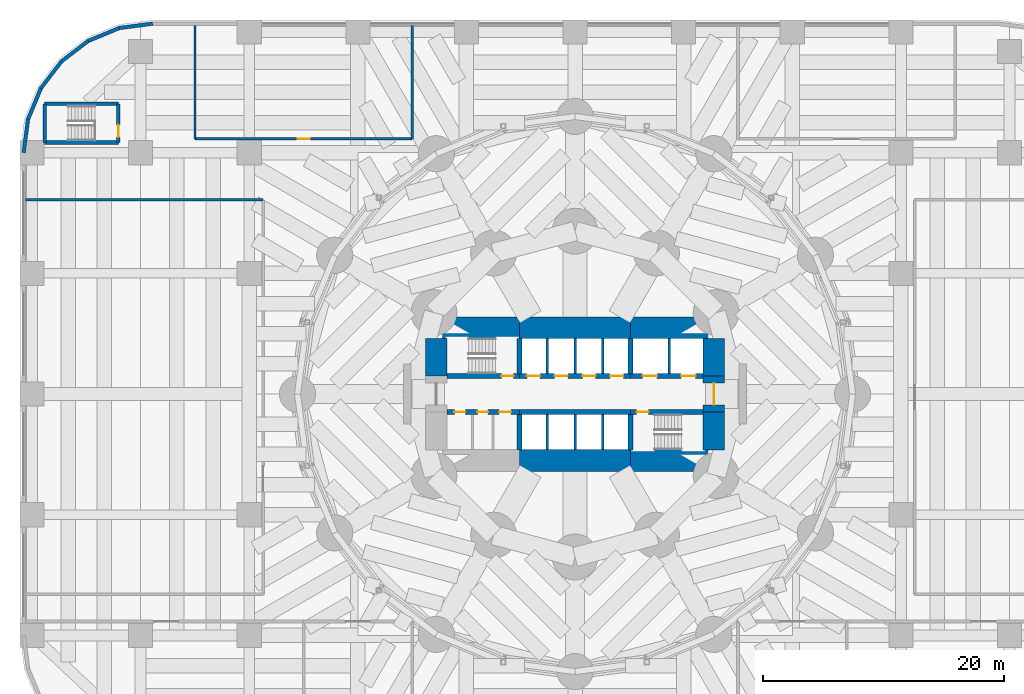
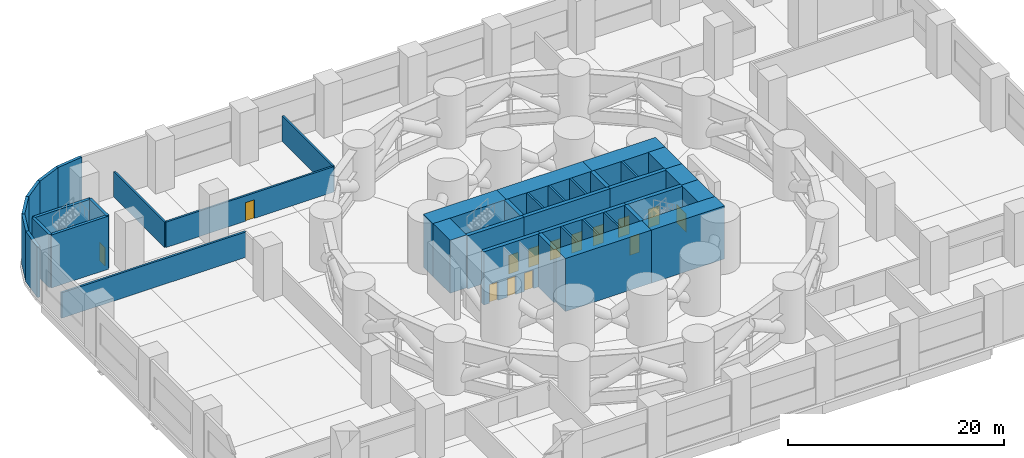
# One storey, part 10 of 14: 40 walls, 14 doors, 14 openings.
"""IFC4 building model written with IfcOpenShell, lengths in metres."""

from ifc_helpers import new_model, si_unit, direction, frame, frame_2d, origin, place, context, subcontext, project, spatial, rectangle, extrude, material, layer, layer_set, type_object, element, fill, save


model = new_model("IFC4")

# Units and contexts
model_context = context("Model", 3, precision=1e-05, world=origin(), true_north=direction((0.0, 1.0)))
body_context = subcontext(model_context, "Body", "Model", "MODEL_VIEW")
ifc_project = project(units=[si_unit("LENGTHUNIT", "METRE"), si_unit("AREAUNIT", "SQUARE_METRE"), si_unit("VOLUMEUNIT", "CUBIC_METRE"), si_unit("PLANEANGLEUNIT", "RADIAN"), si_unit("MASSUNIT", "GRAM", prefix="KILO")], contexts=[model_context])

# Site, building, storey
site_placement = place(None, origin())
site = spatial("IfcSite", under=ifc_project, at=site_placement, CompositionType="ELEMENT")
building_placement = place(site_placement, origin())
building = spatial("IfcBuilding", under=site, at=building_placement, Name="Qaws Media Tower", CompositionType="ELEMENT")
storey_placement = place(building_placement, frame((0.0, 0.0, 20.0)))
storey = spatial("IfcBuildingStorey", under=building, at=storey_placement, Name="L03", CompositionType="ELEMENT", Elevation=20.0)

# Wall, opening, door
ifc_material_1 = material(Name="Concrete C60/75", Category="concrete")
ifc_layer_1 = layer(ifc_material_1, 0.39990234375)
ifc_layer_set_1 = layer_set([ifc_layer_1], Name="Core inner wall 400")
wall_type_1 = type_object("IfcWallType", Name="Core inner wall 400", PredefinedType="SHEAR", material=ifc_layer_set_1)
wall_1_placement = place(storey_placement, frame((49.3798828125, 51.5, 0.0), z_axis=(0.0, 0.0, 1.0), x_axis=(1.0, 0.0, 0.0)))
wall_1 = element("IfcWall", 1, at=wall_1_placement, inside=storey, type_object=wall_type_1, Name="W311 SW4 core wall SPNW L03", PredefinedType="SHEAR", context=body_context, shape_type="SweptSolid", body=[
    extrude(rectangle(XDim=6.02001953125, YDim=0.39990234375, at=frame_2d((3.010009765625, 0.0))), origin(), (0.0, 0.0, 1.0), 6.0),
])
opening_1_placement = place(wall_1_placement, frame((4.52001953125, 0.0, 0.0)))
opening_1 = element("IfcOpeningElement", 2, at=opening_1_placement, cuts=wall_1, Name="Opening D1", PredefinedType="OPENING", context=body_context, shape_type="SweptSolid", body=[
    extrude(rectangle(XDim=1.0, YDim=2.10009765625, at=frame_2d((0.5, 1.050048828125))), frame((0.0, 0.2099609375, 0.0), z_axis=(0.0, -1.0, 0.0), x_axis=(1.0, 0.0, 0.0)), (0.0, 0.0, 1.0), 0.419921875),
])
ifc_material_2 = material(Name="Steel, fire rated", Category="steel")
door_type_1 = type_object("IfcDoorType", Name="Stair door 1000 FD120", OperationType="SINGLE_SWING_LEFT", PredefinedType="DOOR", material=ifc_material_2)
door_1_placement = place(opening_1_placement, origin())
door_1 = element("IfcDoor", 3, at=door_1_placement, inside=storey, type_object=door_type_1, Name="D1 stair S1 door L03 in wall W311", OperationType="SINGLE_SWING_LEFT", OverallHeight=2.10009765625, OverallWidth=1.0, PredefinedType="DOOR", context=body_context, shape_type="SweptSolid", body=[
    extrude(rectangle(XDim=1.0, YDim=2.10009765625, at=frame_2d((0.5, 1.050048828125))), frame((0.0, 0.02490234375, 0.0), z_axis=(0.0, -1.0, 0.0), x_axis=(1.0, 0.0, 0.0)), (0.0, 0.0, 1.0), 0.050048828125),
])
fill(opening_1, door_1)

# Wall, openings, doors
wall_2_placement = place(storey_placement, frame((55.39990234375, 51.5, 0.0), z_axis=(0.0, 0.0, 1.0), x_axis=(1.0, 0.0, 0.0)))
wall_2 = element("IfcWall", 4, at=wall_2_placement, inside=storey, type_object=wall_type_1, Name="W314 SW4 core wall SPN L03", PredefinedType="SHEAR", context=body_context, shape_type="SweptSolid", body=[
    extrude(rectangle(XDim=9.2001953125, YDim=0.39990234375, at=frame_2d((4.60009765625, 0.0))), origin(), (0.0, 0.0, 1.0), 6.0),
])
opening_2_placement = place(wall_2_placement, frame((0.60009765625, 0.0, 0.0)))
opening_2 = element("IfcOpeningElement", 5, at=opening_2_placement, cuts=wall_2, Name="Opening LD", PredefinedType="OPENING", context=body_context, shape_type="SweptSolid", body=[
    extrude(rectangle(XDim=1.10009765625, YDim=2.10009765625, at=frame_2d((0.550048828125, 1.050048828125))), frame((0.0, 0.2099609375, 0.0), z_axis=(0.0, -1.0, 0.0), x_axis=(1.0, 0.0, 0.0)), (0.0, 0.0, 1.0), 0.419921875),
])
opening_3_placement = place(wall_2_placement, frame((2.89990234375, 0.0, 0.0)))
opening_3 = element("IfcOpeningElement", 6, at=opening_3_placement, cuts=wall_2, Name="Opening LD", PredefinedType="OPENING", context=body_context, shape_type="SweptSolid", body=[
    extrude(rectangle(XDim=1.10009765625, YDim=2.10009765625, at=frame_2d((0.550048828125, 1.050048828125))), frame((0.0, 0.2099609375, 0.0), z_axis=(0.0, -1.0, 0.0), x_axis=(1.0, 0.0, 0.0)), (0.0, 0.0, 1.0), 0.419921875),
])
opening_4_placement = place(wall_2_placement, frame((5.199951171875, 0.0, 0.0)))
opening_4 = element("IfcOpeningElement", 7, at=opening_4_placement, cuts=wall_2, Name="Opening LD", PredefinedType="OPENING", context=body_context, shape_type="SweptSolid", body=[
    extrude(rectangle(XDim=1.10009765625, YDim=2.10009765625, at=frame_2d((0.550048828125, 1.050048828125))), frame((0.0, 0.2099609375, 0.0), z_axis=(0.0, -1.0, 0.0), x_axis=(1.0, 0.0, 0.0)), (0.0, 0.0, 1.0), 0.419921875),
])
opening_5_placement = place(wall_2_placement, frame((7.5, 0.0, 0.0)))
opening_5 = element("IfcOpeningElement", 8, at=opening_5_placement, cuts=wall_2, Name="Opening LD", PredefinedType="OPENING", context=body_context, shape_type="SweptSolid", body=[
    extrude(rectangle(XDim=1.10009765625, YDim=2.10009765625, at=frame_2d((0.550048828125, 1.050048828125))), frame((0.0, 0.2099609375, 0.0), z_axis=(0.0, -1.0, 0.0), x_axis=(1.0, 0.0, 0.0)), (0.0, 0.0, 1.0), 0.419921875),
])
ifc_material_3 = material(Name="Steel, fire rated", Category="steel")
door_type_2 = type_object("IfcDoorType", Name="Lift landing door 1100", OperationType="SLIDING_TO_LEFT", PredefinedType="DOOR", material=ifc_material_3)
door_2_placement = place(opening_2_placement, origin())
door_2 = element("IfcDoor", 9, at=door_2_placement, inside=storey, type_object=door_type_2, Name="P1 landing door L03 in wall W314", OperationType="SLIDING_TO_LEFT", OverallHeight=2.10009765625, OverallWidth=1.10009765625, PredefinedType="DOOR", context=body_context, shape_type="SweptSolid", body=[
    extrude(rectangle(XDim=1.10009765625, YDim=2.10009765625, at=frame_2d((0.550048828125, 1.050048828125))), frame((0.0, 0.02490234375, 0.0), z_axis=(0.0, -1.0, 0.0), x_axis=(1.0, 0.0, 0.0)), (0.0, 0.0, 1.0), 0.050048828125),
])
fill(opening_2, door_2)
door_3_placement = place(opening_3_placement, origin())
door_3 = element("IfcDoor", 10, at=door_3_placement, inside=storey, type_object=door_type_2, Name="P2 landing door L03 in wall W314", OperationType="SLIDING_TO_LEFT", OverallHeight=2.10009765625, OverallWidth=1.10009765625, PredefinedType="DOOR", context=body_context, shape_type="SweptSolid", body=[
    extrude(rectangle(XDim=1.10009765625, YDim=2.10009765625, at=frame_2d((0.550048828125, 1.050048828125))), frame((0.0, 0.02490234375, 0.0), z_axis=(0.0, -1.0, 0.0), x_axis=(1.0, 0.0, 0.0)), (0.0, 0.0, 1.0), 0.050048828125),
])
fill(opening_3, door_3)
door_4_placement = place(opening_4_placement, origin())
door_4 = element("IfcDoor", 11, at=door_4_placement, inside=storey, type_object=door_type_2, Name="P3 landing door L03 in wall W314", OperationType="SLIDING_TO_LEFT", OverallHeight=2.10009765625, OverallWidth=1.10009765625, PredefinedType="DOOR", context=body_context, shape_type="SweptSolid", body=[
    extrude(rectangle(XDim=1.10009765625, YDim=2.10009765625, at=frame_2d((0.550048828125, 1.050048828125))), frame((0.0, 0.02490234375, 0.0), z_axis=(0.0, -1.0, 0.0), x_axis=(1.0, 0.0, 0.0)), (0.0, 0.0, 1.0), 0.050048828125),
])
fill(opening_4, door_4)
door_5_placement = place(opening_5_placement, origin())
door_5 = element("IfcDoor", 12, at=door_5_placement, inside=storey, type_object=door_type_2, Name="P4 landing door L03 in wall W314", OperationType="SLIDING_TO_LEFT", OverallHeight=2.10009765625, OverallWidth=1.10009765625, PredefinedType="DOOR", context=body_context, shape_type="SweptSolid", body=[
    extrude(rectangle(XDim=1.10009765625, YDim=2.10009765625, at=frame_2d((0.550048828125, 1.050048828125))), frame((0.0, 0.02490234375, 0.0), z_axis=(0.0, -1.0, 0.0), x_axis=(1.0, 0.0, 0.0)), (0.0, 0.0, 1.0), 0.050048828125),
])
fill(opening_5, door_5)

wall_3_placement = place(storey_placement, frame((64.60009765625, 51.5, 0.0), z_axis=(0.0, 0.0, 1.0), x_axis=(1.0, 0.0, 0.0)))
wall_3 = element("IfcWall", 13, at=wall_3_placement, inside=storey, type_object=wall_type_1, Name="W318 SW4 core wall SPNE L03", PredefinedType="SHEAR", context=body_context, shape_type="SweptSolid", body=[
    extrude(rectangle(XDim=6.02001953125, YDim=0.39990234375, at=frame_2d((3.010009765625, 0.0))), origin(), (0.0, 0.0, 1.0), 6.0),
])
opening_6_placement = place(wall_3_placement, frame((1.0, 0.0, 0.0)))
opening_6 = element("IfcOpeningElement", 14, at=opening_6_placement, cuts=wall_3, Name="Opening LD2", PredefinedType="OPENING", context=body_context, shape_type="SweptSolid", body=[
    extrude(rectangle(XDim=1.199951171875, YDim=2.10009765625, at=frame_2d((0.60009765625, 1.050048828125))), frame((0.0, 0.2099609375, 0.0), z_axis=(0.0, -1.0, 0.0), x_axis=(1.0, 0.0, 0.0)), (0.0, 0.0, 1.0), 0.419921875),
])
opening_7_placement = place(wall_3_placement, frame((4.199951171875, 0.0, 0.0)))
opening_7 = element("IfcOpeningElement", 15, at=opening_7_placement, cuts=wall_3, Name="Opening LD2", PredefinedType="OPENING", context=body_context, shape_type="SweptSolid", body=[
    extrude(rectangle(XDim=1.199951171875, YDim=2.10009765625, at=frame_2d((0.60009765625, 1.050048828125))), frame((0.0, 0.2099609375, 0.0), z_axis=(0.0, -1.0, 0.0), x_axis=(1.0, 0.0, 0.0)), (0.0, 0.0, 1.0), 0.419921875),
])
ifc_material_4 = material(Name="Steel, fire rated", Category="steel")
door_type_3 = type_object("IfcDoorType", Name="Lift landing door 1200", OperationType="SLIDING_TO_LEFT", PredefinedType="DOOR", material=ifc_material_4)
door_6_placement = place(opening_6_placement, origin())
door_6 = element("IfcDoor", 16, at=door_6_placement, inside=storey, type_object=door_type_3, Name="FL1 landing door L03 in wall W318", OperationType="SLIDING_TO_LEFT", OverallHeight=2.10009765625, OverallWidth=1.199951171875, PredefinedType="DOOR", context=body_context, shape_type="SweptSolid", body=[
    extrude(rectangle(XDim=1.199951171875, YDim=2.10009765625, at=frame_2d((0.60009765625, 1.050048828125))), frame((0.0, 0.02490234375, 0.0), z_axis=(0.0, -1.0, 0.0), x_axis=(1.0, 0.0, 0.0)), (0.0, 0.0, 1.0), 0.050048828125),
])
fill(opening_6, door_6)
door_7_placement = place(opening_7_placement, origin())
door_7 = element("IfcDoor", 17, at=door_7_placement, inside=storey, type_object=door_type_3, Name="FL2 landing door L03 in wall W318", OperationType="SLIDING_TO_LEFT", OverallHeight=2.10009765625, OverallWidth=1.199951171875, PredefinedType="DOOR", context=body_context, shape_type="SweptSolid", body=[
    extrude(rectangle(XDim=1.199951171875, YDim=2.10009765625, at=frame_2d((0.60009765625, 1.050048828125))), frame((0.0, 0.02490234375, 0.0), z_axis=(0.0, -1.0, 0.0), x_axis=(1.0, 0.0, 0.0)), (0.0, 0.0, 1.0), 0.050048828125),
])
fill(opening_7, door_7)

wall_4_placement = place(storey_placement, frame((49.3798828125, 48.5, 0.0), z_axis=(0.0, 0.0, 1.0), x_axis=(1.0, 0.0, 0.0)))
wall_4 = element("IfcWall", 18, at=wall_4_placement, inside=storey, type_object=wall_type_1, Name="W310 SW4 core wall SPSW L03", PredefinedType="SHEAR", context=body_context, shape_type="SweptSolid", body=[
    extrude(rectangle(XDim=6.02001953125, YDim=0.39990234375, at=frame_2d((3.010009765625, 0.0))), origin(), (0.0, 0.0, 1.0), 6.0),
])
opening_8_placement = place(wall_4_placement, frame((0.6201171875, 0.0, 0.0)))
opening_8 = element("IfcOpeningElement", 19, at=opening_8_placement, cuts=wall_4, Name="Opening D3", PredefinedType="OPENING", context=body_context, shape_type="SweptSolid", body=[
    extrude(rectangle(XDim=0.89990234375, YDim=2.10009765625, at=frame_2d((0.449951171875, 1.050048828125))), frame((0.0, 0.2099609375, 0.0), z_axis=(0.0, -1.0, 0.0), x_axis=(1.0, 0.0, 0.0)), (0.0, 0.0, 1.0), 0.419921875),
])
opening_9_placement = place(wall_4_placement, frame((2.52001953125, 0.0, 0.0)))
opening_9 = element("IfcOpeningElement", 20, at=opening_9_placement, cuts=wall_4, Name="Opening D3", PredefinedType="OPENING", context=body_context, shape_type="SweptSolid", body=[
    extrude(rectangle(XDim=0.89990234375, YDim=2.10009765625, at=frame_2d((0.449951171875, 1.050048828125))), frame((0.0, 0.2099609375, 0.0), z_axis=(0.0, -1.0, 0.0), x_axis=(1.0, 0.0, 0.0)), (0.0, 0.0, 1.0), 0.419921875),
])
opening_10_placement = place(wall_4_placement, frame((4.320068359375, 0.0, 0.0)))
opening_10 = element("IfcOpeningElement", 21, at=opening_10_placement, cuts=wall_4, Name="Opening D4", PredefinedType="OPENING", context=body_context, shape_type="SweptSolid", body=[
    extrude(rectangle(XDim=1.0, YDim=2.10009765625, at=frame_2d((0.5, 1.050048828125))), frame((0.0, 0.2099609375, 0.0), z_axis=(0.0, -1.0, 0.0), x_axis=(1.0, 0.0, 0.0)), (0.0, 0.0, 1.0), 0.419921875),
])
ifc_material_5 = material(Name="Timber veneered", Category="wood")
door_type_4 = type_object("IfcDoorType", Name="Accessible WC door 1000", OperationType="SLIDING_TO_LEFT", PredefinedType="DOOR", material=ifc_material_5)
door_8_placement = place(opening_10_placement, origin())
door_8 = element("IfcDoor", 22, at=door_8_placement, inside=storey, type_object=door_type_4, Name="D4 toilet door 3 L03 in wall W310", OperationType="SLIDING_TO_LEFT", OverallHeight=2.10009765625, OverallWidth=1.0, PredefinedType="DOOR", context=body_context, shape_type="SweptSolid", body=[
    extrude(rectangle(XDim=1.0, YDim=2.10009765625, at=frame_2d((0.5, 1.050048828125))), frame((0.0, 0.02490234375, 0.0), z_axis=(0.0, -1.0, 0.0), x_axis=(1.0, 0.0, 0.0)), (0.0, 0.0, 1.0), 0.050048828125),
])
fill(opening_10, door_8)
ifc_material_6 = material(Name="Timber veneered", Category="wood")
door_type_5 = type_object("IfcDoorType", Name="Toilet door 900", OperationType="SINGLE_SWING_RIGHT", PredefinedType="DOOR", material=ifc_material_6)
door_9_placement = place(opening_8_placement, origin())
door_9 = element("IfcDoor", 23, at=door_9_placement, inside=storey, type_object=door_type_5, Name="D3 toilet door 1 L03 in wall W310", OperationType="SINGLE_SWING_RIGHT", OverallHeight=2.10009765625, OverallWidth=0.89990234375, PredefinedType="DOOR", context=body_context, shape_type="SweptSolid", body=[
    extrude(rectangle(XDim=0.89990234375, YDim=2.10009765625, at=frame_2d((0.449951171875, 1.050048828125))), frame((0.0, 0.02490234375, 0.0), z_axis=(0.0, -1.0, 0.0), x_axis=(1.0, 0.0, 0.0)), (0.0, 0.0, 1.0), 0.050048828125),
])
fill(opening_8, door_9)
door_10_placement = place(opening_9_placement, origin())
door_10 = element("IfcDoor", 24, at=door_10_placement, inside=storey, type_object=door_type_5, Name="D3 toilet door 2 L03 in wall W310", OperationType="SINGLE_SWING_RIGHT", OverallHeight=2.10009765625, OverallWidth=0.89990234375, PredefinedType="DOOR", context=body_context, shape_type="SweptSolid", body=[
    extrude(rectangle(XDim=0.89990234375, YDim=2.10009765625, at=frame_2d((0.449951171875, 1.050048828125))), frame((0.0, 0.02490234375, 0.0), z_axis=(0.0, -1.0, 0.0), x_axis=(1.0, 0.0, 0.0)), (0.0, 0.0, 1.0), 0.050048828125),
])
fill(opening_9, door_10)

# Wall
wall_5_placement = place(storey_placement, frame((55.39990234375, 48.5, 0.0), z_axis=(0.0, 0.0, 1.0), x_axis=(1.0, 0.0, 0.0)))
element("IfcWall", 25, at=wall_5_placement, inside=storey, type_object=wall_type_1, Name="W313 SW4 core wall SPS L03", PredefinedType="SHEAR", context=body_context, shape_type="SweptSolid", body=[
    extrude(rectangle(XDim=9.2001953125, YDim=0.39990234375, at=frame_2d((4.60009765625, 0.0))), origin(), (0.0, 0.0, 1.0), 6.0),
])

# Wall, opening, door
wall_6_placement = place(storey_placement, frame((64.60009765625, 48.5, 0.0), z_axis=(0.0, 0.0, 1.0), x_axis=(1.0, 0.0, 0.0)))
wall_6 = element("IfcWall", 26, at=wall_6_placement, inside=storey, type_object=wall_type_1, Name="W317 SW4 core wall SPSE L03", PredefinedType="SHEAR", context=body_context, shape_type="SweptSolid", body=[
    extrude(rectangle(XDim=6.02001953125, YDim=0.39990234375, at=frame_2d((3.010009765625, 0.0))), origin(), (0.0, 0.0, 1.0), 6.0),
])
opening_11_placement = place(wall_6_placement, frame((0.5, 0.0, 0.0)))
opening_11 = element("IfcOpeningElement", 27, at=opening_11_placement, cuts=wall_6, Name="Opening D1", PredefinedType="OPENING", context=body_context, shape_type="SweptSolid", body=[
    extrude(rectangle(XDim=1.0, YDim=2.10009765625, at=frame_2d((0.5, 1.050048828125))), frame((0.0, 0.2099609375, 0.0), z_axis=(0.0, -1.0, 0.0), x_axis=(1.0, 0.0, 0.0)), (0.0, 0.0, 1.0), 0.419921875),
])
door_11_placement = place(opening_11_placement, origin())
door_11 = element("IfcDoor", 28, at=door_11_placement, inside=storey, type_object=door_type_1, Name="D1 stair S2 door L03 in wall W317", OperationType="SINGLE_SWING_LEFT", OverallHeight=2.10009765625, OverallWidth=1.0, PredefinedType="DOOR", context=body_context, shape_type="SweptSolid", body=[
    extrude(rectangle(XDim=1.0, YDim=2.10009765625, at=frame_2d((0.5, 1.050048828125))), frame((0.0, 0.02490234375, 0.0), z_axis=(0.0, -1.0, 0.0), x_axis=(1.0, 0.0, 0.0)), (0.0, 0.0, 1.0), 0.050048828125),
])
fill(opening_11, door_11)

# Walls
for number, where, z_axis, x_axis, name in (
    (29, (55.39990234375, 51.679931640625, 0.0), (0.0, 0.0, 1.0), (0.0, 1.0, 0.0), "W315 SW4 core wall XNW L03"),
    (30, (64.60009765625, 51.679931640625, 0.0), (0.0, 0.0, 1.0), (0.0, 1.0, 0.0), "W319 SW4 core wall XNE L03"),
    (31, (55.39990234375, 48.320068359375, 0.0), (0.0, 0.0, 1.0), (0.0, -1.0, 0.0), "W312 SW4 core wall XSW L03"),
    (32, (64.60009765625, 48.320068359375, 0.0), (0.0, 0.0, 1.0), (0.0, -1.0, 0.0), "W316 SW4 core wall XSE L03"),
):
    element("IfcWall", number, at=place(storey_placement, frame(where, z_axis=z_axis, x_axis=x_axis)), inside=storey, type_object=wall_type_1, Name=name, PredefinedType="SHEAR", context=body_context, shape_type="SweptSolid", body=[
        extrude(rectangle(XDim=2.940185546875, YDim=0.39990234375, at=frame_2d((1.47021484375, 0.0))), origin(), (0.0, 0.0, 1.0), 6.0),
    ])
ifc_material_7 = material(Name="Concrete C60/75", Category="concrete")
ifc_layer_2 = layer(ifc_material_7, 1.800048828125)
ifc_layer_set_2 = layer_set([ifc_layer_2], Name="Core wall 1800")
wall_type_2 = type_object("IfcWallType", Name="Core wall 1800", PredefinedType="SHEAR", material=ifc_layer_set_2)
wall_7_placement = place(storey_placement, frame((47.60009765625, 55.5, 0.0), z_axis=(0.0, 0.0, 1.0), x_axis=(1.0, 0.0, 0.0)))
element("IfcWall", 33, at=wall_7_placement, inside=storey, type_object=wall_type_2, Name="W399 SW11 core wall NW L03", PredefinedType="SHEAR", context=body_context, shape_type="SweptSolid", body=[
    extrude(rectangle(XDim=7.7998046875, YDim=1.800048828125, at=frame_2d((3.89990234375, 0.0))), origin(), (0.0, 0.0, 1.0), 6.0),
])
wall_8_placement = place(storey_placement, frame((55.39990234375, 55.5, 0.0), z_axis=(0.0, 0.0, 1.0), x_axis=(1.0, 0.0, 0.0)))
element("IfcWall", 34, at=wall_8_placement, inside=storey, type_object=wall_type_2, Name="W404 SW11 core wall N L03", PredefinedType="SHEAR", context=body_context, shape_type="SweptSolid", body=[
    extrude(rectangle(XDim=9.2001953125, YDim=1.800048828125, at=frame_2d((4.60009765625, 0.0))), origin(), (0.0, 0.0, 1.0), 6.0),
])
wall_9_placement = place(storey_placement, frame((64.60009765625, 55.5, 0.0), z_axis=(0.0, 0.0, 1.0), x_axis=(1.0, 0.0, 0.0)))
element("IfcWall", 35, at=wall_9_placement, inside=storey, type_object=wall_type_2, Name="W406 SW11 core wall NE L03", PredefinedType="SHEAR", context=body_context, shape_type="SweptSolid", body=[
    extrude(rectangle(XDim=7.7998046875, YDim=1.800048828125, at=frame_2d((3.89990234375, 0.0))), origin(), (0.0, 0.0, 1.0), 6.0),
])
wall_10_placement = place(storey_placement, frame((55.39990234375, 44.5, 0.0), z_axis=(0.0, 0.0, 1.0), x_axis=(1.0, 0.0, 0.0)))
element("IfcWall", 36, at=wall_10_placement, inside=storey, type_object=wall_type_2, Name="W403 SW11 core wall S L03", PredefinedType="SHEAR", context=body_context, shape_type="SweptSolid", body=[
    extrude(rectangle(XDim=9.2001953125, YDim=1.800048828125, at=frame_2d((4.60009765625, 0.0))), origin(), (0.0, 0.0, 1.0), 6.0),
])
wall_11_placement = place(storey_placement, frame((64.60009765625, 44.5, 0.0), z_axis=(0.0, 0.0, 1.0), x_axis=(1.0, 0.0, 0.0)))
element("IfcWall", 37, at=wall_11_placement, inside=storey, type_object=wall_type_2, Name="W405 SW11 core wall SE L03", PredefinedType="SHEAR", context=body_context, shape_type="SweptSolid", body=[
    extrude(rectangle(XDim=7.7998046875, YDim=1.800048828125, at=frame_2d((3.89990234375, 0.0))), origin(), (0.0, 0.0, 1.0), 6.0),
])
wall_12_placement = place(storey_placement, frame((71.5, 45.3798828125, 0.0), z_axis=(0.0, 0.0, 1.0), x_axis=(0.0, 1.0, 0.0)))
element("IfcWall", 38, at=wall_12_placement, inside=storey, type_object=wall_type_2, Name="W407 SW11 core wall ES L03", PredefinedType="SHEAR", context=body_context, shape_type="SweptSolid", body=[
    extrude(rectangle(XDim=3.1201171875, YDim=1.800048828125, at=frame_2d((1.56005859375, 0.0))), origin(), (0.0, 0.0, 1.0), 6.0),
])

# Wall, opening, door
wall_13_placement = place(storey_placement, frame((71.5, 48.5, 0.0), z_axis=(0.0, 0.0, 1.0), x_axis=(0.0, 1.0, 0.0)))
wall_13 = element("IfcWall", 39, at=wall_13_placement, inside=storey, type_object=wall_type_2, Name="W408 SW11 core wall E L03", PredefinedType="SHEAR", context=body_context, shape_type="SweptSolid", body=[
    extrude(rectangle(XDim=3.0, YDim=1.800048828125, at=frame_2d((1.5, 0.0))), origin(), (0.0, 0.0, 1.0), 6.0),
])
opening_12_placement = place(wall_13_placement, frame((0.60009765625, 0.0, 0.0)))
opening_12 = element("IfcOpeningElement", 40, at=opening_12_placement, cuts=wall_13, Name="Opening D2", PredefinedType="OPENING", context=body_context, shape_type="SweptSolid", body=[
    extrude(rectangle(XDim=1.800048828125, YDim=2.10009765625, at=frame_2d((0.89990234375, 1.050048828125))), frame((0.0, 0.909912109375, 0.0), z_axis=(0.0, -1.0, 0.0), x_axis=(1.0, 0.0, 0.0)), (0.0, 0.0, 1.0), 1.820068359375),
])
ifc_material_8 = material(Name="Steel and glass, fire rated", Category="steel")
door_type_6 = type_object("IfcDoorType", Name="Lobby door pair 1800 FD60", OperationType="DOUBLE_DOOR_DOUBLE_SWING", PredefinedType="DOOR", material=ifc_material_8)
door_12_placement = place(opening_12_placement, origin())
door_12 = element("IfcDoor", 41, at=door_12_placement, inside=storey, type_object=door_type_6, Name="D2 core lobby door E L03 in wall W408", OperationType="DOUBLE_DOOR_DOUBLE_SWING", OverallHeight=2.10009765625, OverallWidth=1.800048828125, PredefinedType="DOOR", context=body_context, shape_type="SweptSolid", body=[
    extrude(rectangle(XDim=1.800048828125, YDim=2.10009765625, at=frame_2d((0.89990234375, 1.050048828125))), frame((0.0, 0.02490234375, 0.0), z_axis=(0.0, -1.0, 0.0), x_axis=(1.0, 0.0, 0.0)), (0.0, 0.0, 1.0), 0.050048828125),
])
fill(opening_12, door_12)

# Walls
for number, where, z_axis, x_axis, name in (
    (42, (71.5, 51.5, 0.0), (0.0, 0.0, 1.0), (0.0, 1.0, 0.0), "W409 SW11 core wall EN L03"),
    (43, (48.5, 51.5, 0.0), (0.0, 0.0, 1.0), (0.0, 1.0, 0.0), "W402 SW11 core wall WN L03"),
):
    element("IfcWall", number, at=place(storey_placement, frame(where, z_axis=z_axis, x_axis=x_axis)), inside=storey, type_object=wall_type_2, Name=name, PredefinedType="SHEAR", context=body_context, shape_type="SweptSolid", body=[
        extrude(rectangle(XDim=3.1201171875, YDim=1.800048828125, at=frame_2d((1.56005859375, 0.0))), origin(), (0.0, 0.0, 1.0), 6.0),
    ])
ifc_material_9 = material(Name="215 dense concrete blockwork, fair faced", Category="masonry")
ifc_layer_3 = layer(ifc_material_9, 0.215087890625)
ifc_layer_set_3 = layer_set([ifc_layer_3], Name="Plant room blockwork wall 215")
wall_type_3 = type_object("IfcWallType", Name="Plant room blockwork wall 215", PredefinedType="PARTITIONING", material=ifc_layer_set_3)
wall_14_placement = place(storey_placement, frame((14.455078125, 66.10009765625, 0.0), z_axis=(0.0, 0.0, 1.0), x_axis=(1.0, 0.0, 0.0)))
element("IfcWall", 44, at=wall_14_placement, inside=storey, type_object=wall_type_3, Name="W750 IW7 partition L03", PredefinedType="PARTITIONING", context=body_context, shape_type="SweptSolid", body=[
    extrude(rectangle(XDim=19.69482421875, YDim=0.215087890625, at=frame_2d((9.847412109375, 0.0))), origin(), (0.0, 0.0, 1.0), 2.8798828125),
])
ifc_material_10 = material(Name="Precast concrete, exposed finish", Category="concrete")
ifc_layer_4 = layer(ifc_material_10, 0.300048828125)
ifc_layer_set_4 = layer_set([ifc_layer_4], Name="Podium facade wall 300")
wall_type_4 = type_object("IfcWallType", Name="Podium facade wall 300", PredefinedType="SOLIDWALL", material=ifc_layer_set_4)
wall_15_placement = place(storey_placement, frame((25.0, 80.699951171875, 0.0), z_axis=(0.0, 0.0, 1.0), x_axis=(-0.991448642066, -0.130497471798, 0.0)))
element("IfcWall", 45, at=wall_15_placement, inside=storey, type_object=wall_type_4, Name="W776 EW2 podium wall L03-15", PredefinedType="SOLIDWALL", context=body_context, shape_type="SweptSolid", body=[
    extrude(rectangle(XDim=2.793212890625, YDim=0.300048828125, at=frame_2d((1.396484375, 0.0))), origin(), (0.0, 0.0, 1.0), 5.699951171875),
])
wall_16_placement = place(storey_placement, frame((22.230712890625, 80.33544921875, 0.0), z_axis=(0.0, 0.0, 1.0), x_axis=(-0.923868765822, -0.382709424419, 0.0)))
element("IfcWall", 46, at=wall_16_placement, inside=storey, type_object=wall_type_4, Name="W774 EW2 podium wall L03-16", PredefinedType="SOLIDWALL", context=body_context, shape_type="SweptSolid", body=[
    extrude(rectangle(XDim=2.79345703125, YDim=0.300048828125, at=frame_2d((1.396728515625, 0.0))), origin(), (0.0, 0.0, 1.0), 5.699951171875),
])
for number, where, z_axis, x_axis, name in (
    (47, (19.64990234375, 79.266357421875, 0.0), (0.0, 0.0, 1.0), (-0.793396695539, -0.608704923183, 0.0), "W772 EW2 podium wall L03-17"),
    (48, (17.433837890625, 77.566162109375, 0.0), (0.0, 0.0, 1.0), (-0.608704923183, -0.793396695539, 0.0), "W770 EW2 podium wall L03-18"),
):
    element("IfcWall", number, at=place(storey_placement, frame(where, z_axis=z_axis, x_axis=x_axis)), inside=storey, type_object=wall_type_4, Name=name, PredefinedType="SOLIDWALL", context=body_context, shape_type="SweptSolid", body=[
        extrude(rectangle(XDim=2.793212890625, YDim=0.300048828125, at=frame_2d((1.396484375, 0.0))), origin(), (0.0, 0.0, 1.0), 5.699951171875),
    ])
wall_17_placement = place(storey_placement, frame((15.733642578125, 75.35009765625, 0.0), z_axis=(0.0, 0.0, 1.0), x_axis=(-0.382709424419, -0.923868765822, 0.0)))
element("IfcWall", 49, at=wall_17_placement, inside=storey, type_object=wall_type_4, Name="W768 EW2 podium wall L03-19", PredefinedType="SOLIDWALL", context=body_context, shape_type="SweptSolid", body=[
    extrude(rectangle(XDim=2.79345703125, YDim=0.300048828125, at=frame_2d((1.396728515625, 0.0))), origin(), (0.0, 0.0, 1.0), 5.699951171875),
])
wall_18_placement = place(storey_placement, frame((14.66455078125, 72.769287109375, 0.0), z_axis=(0.0, 0.0, 1.0), x_axis=(-0.130497471798, -0.991448642066, 0.0)))
element("IfcWall", 50, at=wall_18_placement, inside=storey, type_object=wall_type_4, Name="W766 EW2 podium wall L03-20", PredefinedType="SOLIDWALL", context=body_context, shape_type="SweptSolid", body=[
    extrude(rectangle(XDim=2.793212890625, YDim=0.300048828125, at=frame_2d((1.396484375, 0.0))), origin(), (0.0, 0.0, 1.0), 5.699951171875),
])
ifc_material_11 = material(Name="Gypsum board on galvanised metal studs, acoustic double stud, deflection head", Category="gypsum")
ifc_layer_5 = layer(ifc_material_11, 0.199951171875)
ifc_layer_set_5 = layer_set([ifc_layer_5], Name="Room partition 200")
wall_type_5 = type_object("IfcWallType", Name="Room partition 200", PredefinedType="PARTITIONING", material=ifc_layer_set_5)
for number, where, z_axis, x_axis, name in (
    (51, (28.5, 71.14990234375, 0.0), (0.0, 0.0, 1.0), (0.0, 1.0, 0.0), "W936 IW3 partition L03"),
    (52, (46.5, 71.14990234375, 0.0), (0.0, 0.0, 1.0), (0.0, 1.0, 0.0), "W939 IW3 partition L03"),
):
    element("IfcWall", number, at=place(storey_placement, frame(where, z_axis=z_axis, x_axis=x_axis)), inside=storey, type_object=wall_type_5, Name=name, PredefinedType="PARTITIONING", context=body_context, shape_type="SweptSolid", body=[
        extrude(rectangle(XDim=9.39501953125, YDim=0.199951171875, at=frame_2d((4.697509765625, 0.0))), origin(), (0.0, 0.0, 1.0), 2.8798828125),
    ])

# Wall, opening, door
wall_19_placement = place(storey_placement, frame((28.5, 71.14990234375, 0.0), z_axis=(0.0, 0.0, 1.0), x_axis=(1.0, 0.0, 0.0)))
wall_19 = element("IfcWall", 53, at=wall_19_placement, inside=storey, type_object=wall_type_5, Name="W937 IW3 partition L03", PredefinedType="PARTITIONING", context=body_context, shape_type="SweptSolid", body=[
    extrude(rectangle(XDim=18.0, YDim=0.199951171875, at=frame_2d((9.0, 0.0))), origin(), (0.0, 0.0, 1.0), 2.8798828125),
])
opening_13_placement = place(wall_19_placement, frame((8.5, 0.0, 0.0)))
opening_13 = element("IfcOpeningElement", 54, at=opening_13_placement, cuts=wall_19, Name="Opening D5", PredefinedType="OPENING", context=body_context, shape_type="SweptSolid", body=[
    extrude(rectangle(XDim=1.0, YDim=2.10009765625, at=frame_2d((0.5, 1.050048828125))), frame((0.0, 0.10986328125, 0.0), z_axis=(0.0, -1.0, 0.0), x_axis=(1.0, 0.0, 0.0)), (0.0, 0.0, 1.0), 0.219970703125),
])
ifc_material_12 = material(Name="Timber veneered, acoustic seal", Category="wood")
door_type_7 = type_object("IfcDoorType", Name="Room door 1000", OperationType="SINGLE_SWING_LEFT", PredefinedType="DOOR", material=ifc_material_12)
door_13_placement = place(opening_13_placement, origin())
door_13 = element("IfcDoor", 55, at=door_13_placement, inside=storey, type_object=door_type_7, Name="D5 Electrical switch room door in wall W937", OperationType="SINGLE_SWING_LEFT", OverallHeight=2.10009765625, OverallWidth=1.0, PredefinedType="DOOR", context=body_context, shape_type="SweptSolid", body=[
    extrude(rectangle(XDim=1.0, YDim=2.10009765625, at=frame_2d((0.5, 1.050048828125))), frame((0.0, 0.02490234375, 0.0), z_axis=(0.0, -1.0, 0.0), x_axis=(1.0, 0.0, 0.0)), (0.0, 0.0, 1.0), 0.050048828125),
])
fill(opening_13, door_13)

# Walls
ifc_material_13 = material(Name="Fire-rated gypsum board shaft wall on galvanised metal studs, deflection head", Category="gypsum")
ifc_layer_6 = layer(ifc_material_13, 0.199951171875)
ifc_layer_set_6 = layer_set([ifc_layer_6], Name="Shaft wall 200")
wall_type_6 = type_object("IfcWallType", Name="Shaft wall 200", PredefinedType="PARTITIONING", material=ifc_layer_set_6)
for number, where, z_axis, x_axis, name in (
    (56, (57.699951171875, 51.699951171875, 0.0), (0.0, 0.0, 1.0), (0.0, 1.0, 0.0), "W1842 IW1 shaft wall N1 L03"),
    (57, (60.0, 51.699951171875, 0.0), (0.0, 0.0, 1.0), (0.0, 1.0, 0.0), "W1843 IW1 shaft wall N2 L03"),
    (58, (62.300048828125, 51.699951171875, 0.0), (0.0, 0.0, 1.0), (0.0, 1.0, 0.0), "W1844 IW1 shaft wall N3 L03"),
    (59, (57.699951171875, 45.39990234375, 0.0), (0.0, 0.0, 1.0), (0.0, 1.0, 0.0), "W1835 IW1 shaft wall S1 L03"),
    (60, (60.0, 45.39990234375, 0.0), (0.0, 0.0, 1.0), (0.0, 1.0, 0.0), "W1837 IW1 shaft wall S2 L03"),
    (61, (62.300048828125, 45.39990234375, 0.0), (0.0, 0.0, 1.0), (0.0, 1.0, 0.0), "W1839 IW1 shaft wall S3 L03"),
    (62, (67.800048828125, 51.699951171875, 0.0), (0.0, 0.0, 1.0), (0.0, 1.0, 0.0), "W1845 IW1 shaft wall FL L03"),
):
    element("IfcWall", number, at=place(storey_placement, frame(where, z_axis=z_axis, x_axis=x_axis)), inside=storey, type_object=wall_type_6, Name=name, PredefinedType="PARTITIONING", context=body_context, shape_type="SweptSolid", body=[
        extrude(rectangle(XDim=2.900146484375, YDim=0.199951171875, at=frame_2d((1.4501953125, 0.0))), origin(), (0.0, 0.0, 1.0), 6.0),
    ])
ifc_material_14 = material(Name="Concrete C60/75", Category="concrete")
ifc_layer_7 = layer(ifc_material_14, 0.300048828125)
ifc_layer_set_7 = layer_set([ifc_layer_7], Name="Stair enclosure wall 300")
wall_type_7 = type_object("IfcWallType", Name="Stair enclosure wall 300", PredefinedType="SHEAR", material=ifc_layer_set_7)
for number, where, z_axis, x_axis, name in (
    (63, (16.050048828125, 70.85009765625, 0.0), (0.0, 0.0, 1.0), (1.0, 0.0, 0.0), "W1883 SW7 stair S3 enclosure S L03"),
    (64, (16.050048828125, 74.050048828125, 0.0), (0.0, 0.0, 1.0), (1.0, 0.0, 0.0), "W1884 SW7 stair S3 enclosure N L03"),
):
    element("IfcWall", number, at=place(storey_placement, frame(where, z_axis=z_axis, x_axis=x_axis)), inside=storey, type_object=wall_type_7, Name=name, PredefinedType="SHEAR", context=body_context, shape_type="SweptSolid", body=[
        extrude(rectangle(XDim=6.099853515625, YDim=0.300048828125, at=frame_2d((3.0498046875, 0.0))), origin(), (0.0, 0.0, 1.0), 6.0),
    ])
wall_20_placement = place(storey_placement, frame((16.050048828125, 70.85009765625, 0.0), z_axis=(0.0, 0.0, 1.0), x_axis=(0.0, 1.0, 0.0)))
element("IfcWall", 65, at=wall_20_placement, inside=storey, type_object=wall_type_7, Name="W1882 SW7 stair S3 enclosure W L03", PredefinedType="SHEAR", context=body_context, shape_type="SweptSolid", body=[
    extrude(rectangle(XDim=3.199951171875, YDim=0.300048828125, at=frame_2d((1.60009765625, 0.0))), origin(), (0.0, 0.0, 1.0), 6.0),
])

# Wall, opening, door
wall_21_placement = place(storey_placement, frame((22.14990234375, 70.85009765625, 0.0), z_axis=(0.0, 0.0, 1.0), x_axis=(0.0, 1.0, 0.0)))
wall_21 = element("IfcWall", 66, at=wall_21_placement, inside=storey, type_object=wall_type_7, Name="W1885 SW7 stair S3 enclosure E L03", PredefinedType="SHEAR", context=body_context, shape_type="SweptSolid", body=[
    extrude(rectangle(XDim=3.199951171875, YDim=0.300048828125, at=frame_2d((1.60009765625, 0.0))), origin(), (0.0, 0.0, 1.0), 6.0),
])
opening_14_placement = place(wall_21_placement, frame((0.449951171875, 0.0, 0.0)))
opening_14 = element("IfcOpeningElement", 67, at=opening_14_placement, cuts=wall_21, Name="Opening D1", PredefinedType="OPENING", context=body_context, shape_type="SweptSolid", body=[
    extrude(rectangle(XDim=1.0, YDim=2.10009765625, at=frame_2d((0.5, 1.050048828125))), frame((0.0, 0.159912109375, 0.0), z_axis=(0.0, -1.0, 0.0), x_axis=(1.0, 0.0, 0.0)), (0.0, 0.0, 1.0), 0.320068359375),
])
door_14_placement = place(opening_14_placement, origin())
door_14 = element("IfcDoor", 68, at=door_14_placement, inside=storey, type_object=door_type_1, Name="D1 stair S3 door L03 in wall W1885", OperationType="SINGLE_SWING_LEFT", OverallHeight=2.10009765625, OverallWidth=1.0, PredefinedType="DOOR", context=body_context, shape_type="SweptSolid", body=[
    extrude(rectangle(XDim=1.0, YDim=2.10009765625, at=frame_2d((0.5, 1.050048828125))), frame((0.0, 0.02490234375, 0.0), z_axis=(0.0, -1.0, 0.0), x_axis=(1.0, 0.0, 0.0)), (0.0, 0.0, 1.0), 0.050048828125),
])
fill(opening_14, door_14)

save(model, "model.ifc")
